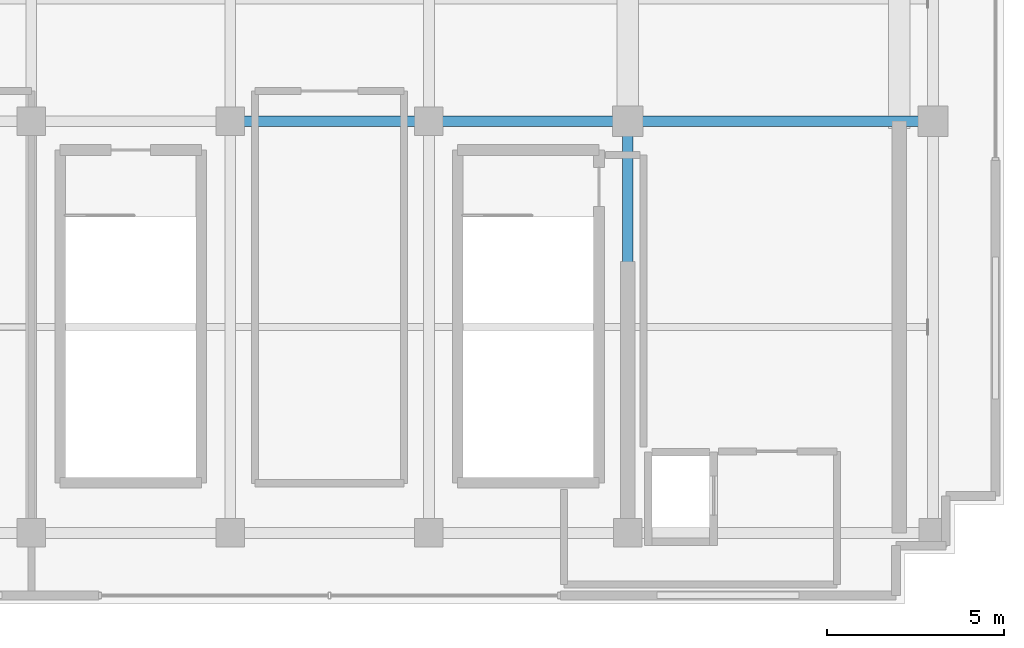
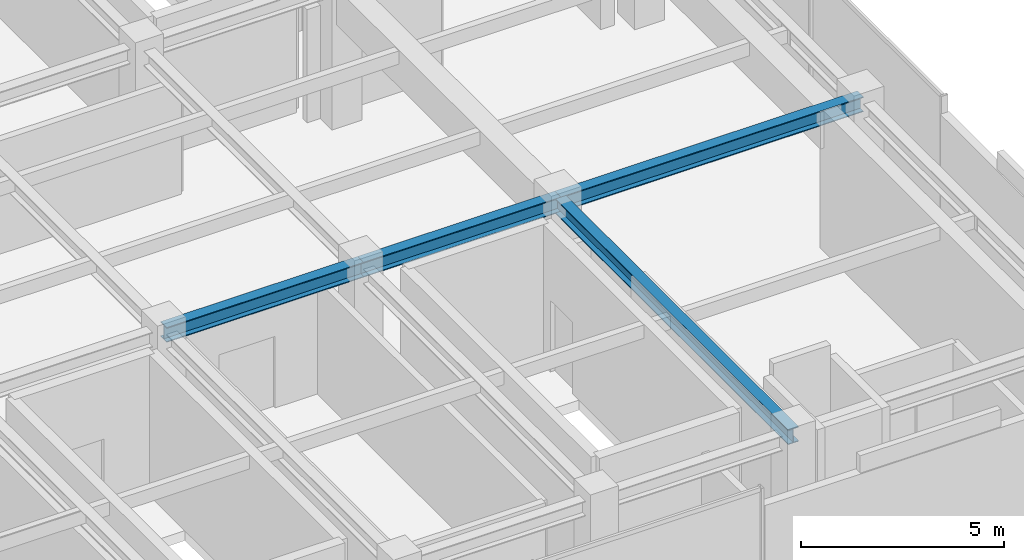
# One storey, part 7 of 21: 4 beams.
"""IFC4 building model written with IfcOpenShell, lengths in metres."""

from ifc_helpers import new_model, si_unit, direction, frame, origin, origin_2d, place, context, subcontext, project, spatial, i_section, extrude, source, transform, mapped, material, material_profile, profile_set, type_object, element, save


model = new_model("IFC4")

# Units and contexts
model_context = context("Model", 3, precision=1e-05, world=origin(), true_north=direction((0.0, 1.0)))
body_context = subcontext(model_context, "Body", "Model", "MODEL_VIEW")
ifc_project = project(units=[si_unit("LENGTHUNIT", "METRE"), si_unit("AREAUNIT", "SQUARE_METRE"), si_unit("VOLUMEUNIT", "CUBIC_METRE"), si_unit("PLANEANGLEUNIT", "RADIAN"), si_unit("MASSUNIT", "GRAM", prefix="KILO")], contexts=[model_context])

# Site, building, storey
site_placement = place(None, origin())
site = spatial("IfcSite", under=ifc_project, at=site_placement, CompositionType="ELEMENT")
building_placement = place(site_placement, origin())
building = spatial("IfcBuilding", under=site, at=building_placement, Name="Nahalor Promenade Grand Hotel", CompositionType="ELEMENT")
storey_placement = place(building_placement, frame((0.0, 0.0, 370.85009765625)))
storey = spatial("IfcBuildingStorey", under=building, at=storey_placement, Name="L94", CompositionType="ELEMENT", Elevation=370.85009765625)

# Beams
ifc_material = material(Name="Steel S355JR", Category="steel")
ifc_material_profile = material_profile(ifc_material, i_section(OverallWidth=0.3, OverallDepth=0.45, WebThickness=0.014, FlangeThickness=0.026, at=origin_2d()), Name="HEB 450")
ifc_profile_set = profile_set([ifc_material_profile], Name="Steel S355JR")
beam_type = type_object("IfcBeamType", Name="Beam-Girder-HEB450", PredefinedType="BEAM", material=ifc_profile_set)
shared_shape_1 = source(origin(), body_context, "Body", "SweptSolid", [
    extrude(i_section(OverallWidth=0.3, OverallDepth=0.45, WebThickness=0.014, FlangeThickness=0.026, at=origin_2d()), origin(), (0.0, 0.0, 1.0), 8.60009765625),
])
beam_1_placement = place(storey_placement, frame((8.39990234375, -5.39990234375, 3.994873046875), z_axis=(1.0, 0.0, 0.0), x_axis=(0.0, 1.0, 0.0)))
element("IfcBeam", 1, at=beam_1_placement, inside=storey, type_object=beam_type, Name="BM-L94-GX-1-4", PredefinedType="BEAM", context=body_context, shape_type="MappedRepresentation", body=[
    mapped(shared_shape_1, transform((0.0, 0.0, 0.0), scale=1.0)),
])
shared_shape_2 = source(origin(), body_context, "Body", "SweptSolid", [
    extrude(i_section(OverallWidth=0.3, OverallDepth=0.45, WebThickness=0.014, FlangeThickness=0.026, at=origin_2d()), origin(), (0.0, 0.0, 1.0), 5.599853515625),
])
beam_2_placement = place(storey_placement, frame((2.800048828125, -5.39990234375, 3.994873046875), z_axis=(1.0, 0.0, 0.0), x_axis=(0.0, 1.0, 0.0)))
element("IfcBeam", 2, at=beam_2_placement, inside=storey, type_object=beam_type, Name="BM-L94-GX-1-3", PredefinedType="BEAM", context=body_context, shape_type="MappedRepresentation", body=[
    mapped(shared_shape_2, transform((0.0, 0.0, 0.0), scale=1.0)),
])
shared_shape_3 = source(origin(), body_context, "Body", "SweptSolid", [
    extrude(i_section(OverallWidth=0.3, OverallDepth=0.45, WebThickness=0.014, FlangeThickness=0.026, at=origin_2d()), origin(), (0.0, 0.0, 1.0), 5.60009765625),
])
beam_3_placement = place(storey_placement, frame((-2.800048828125, -5.39990234375, 3.994873046875), z_axis=(1.0, 0.0, 0.0), x_axis=(0.0, 1.0, 0.0)))
element("IfcBeam", 3, at=beam_3_placement, inside=storey, type_object=beam_type, Name="BM-L94-GX-1-2", PredefinedType="BEAM", context=body_context, shape_type="MappedRepresentation", body=[
    mapped(shared_shape_3, transform((0.0, 0.0, 0.0), scale=1.0)),
])
shared_shape_4 = source(origin(), body_context, "Body", "SweptSolid", [
    extrude(i_section(OverallWidth=0.3, OverallDepth=0.45, WebThickness=0.014, FlangeThickness=0.026, at=origin_2d()), origin(), (0.0, 0.0, 1.0), 11.60009765625),
])
beam_4_placement = place(storey_placement, frame((8.39990234375, -17.0, 3.994873046875), z_axis=(0.0, 1.0, 0.0), x_axis=(-1.0, 0.0, 0.0)))
element("IfcBeam", 4, at=beam_4_placement, inside=storey, type_object=beam_type, Name="BM-L94-GY-4-0", PredefinedType="BEAM", context=body_context, shape_type="MappedRepresentation", body=[
    mapped(shared_shape_4, transform((0.0, 0.0, 0.0), scale=1.0)),
])

save(model, "model.ifc")
